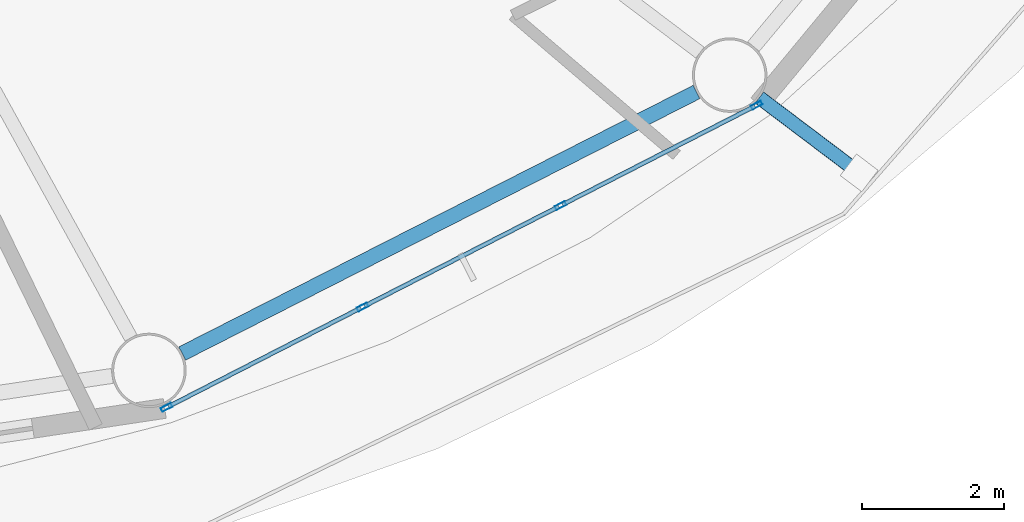
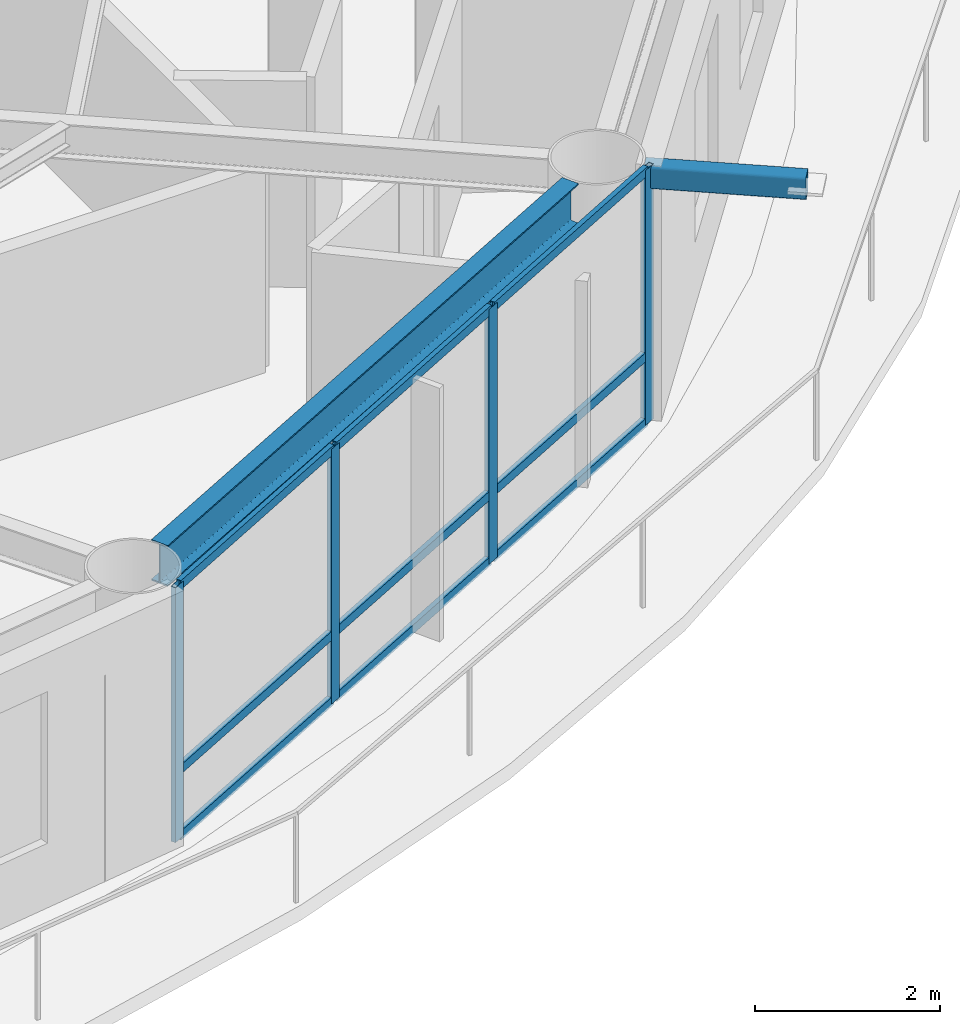
# One storey, part 5 of 23: 14 members, 1 beam, 1 element without a shape of its own.
"""IFC4 building model written with IfcOpenShell, lengths in metres."""

from ifc_helpers import new_model, si_unit, direction, frame, origin, origin_2d, place, context, subcontext, project, spatial, hollow_rectangle, i_section, extrude, material, layer, layer_set, material_profile, profile_set, type_object, element, aggregate, save


model = new_model("IFC4")

# Units and contexts
model_context = context("Model", 3, precision=1e-05, world=origin(), true_north=direction((0.0, 1.0)))
body_context = subcontext(model_context, "Body", "Model", "MODEL_VIEW")
ifc_project = project(units=[si_unit("LENGTHUNIT", "METRE"), si_unit("AREAUNIT", "SQUARE_METRE"), si_unit("VOLUMEUNIT", "CUBIC_METRE"), si_unit("PLANEANGLEUNIT", "RADIAN"), si_unit("MASSUNIT", "GRAM", prefix="KILO")], contexts=[model_context])

# Site, building, storey
site_placement = place(None, origin())
site = spatial("IfcSite", under=ifc_project, at=site_placement, CompositionType="ELEMENT")
building_placement = place(site_placement, origin())
building = spatial("IfcBuilding", under=site, at=building_placement, Name="Sarneth Arch Tower", CompositionType="ELEMENT")
storey_placement = place(building_placement, frame((0.0, 0.0, 235.199951171875)))
storey = spatial("IfcBuildingStorey", under=building, at=storey_placement, Name="L60", CompositionType="ELEMENT", Elevation=235.199951171875)

# Beam
ifc_material_1 = material(Name="Steel S355", Category="steel")
ifc_material_profile_1 = material_profile(ifc_material_1, i_section(OverallWidth=0.2109375, OverallDepth=0.5390625, WebThickness=0.01171875, FlangeThickness=0.018798828125, FilletRadius=0.01806640625, at=origin_2d()), Name="W530x109")
ifc_profile_set_1 = profile_set([ifc_material_profile_1], Name="Steel S355")
beam_type = type_object("IfcBeamType", Name="BM-RAD-530B", PredefinedType="BEAM", material=ifc_profile_set_1)
beam_placement = place(storey_placement, frame((58.2587890625, 24.49951171875, 3.090576171875), z_axis=(0.891368271482, 0.453279830342, 0.0), x_axis=(-0.453279830342, 0.891368271482, 0.0)))
element("IfcBeam", 1, at=beam_placement, inside=storey, type_object=beam_type, Name="L60 Perimeter spandrel beam 14", PredefinedType="BEAM", context=body_context, shape_type="SweptSolid", body=[
    extrude(i_section(OverallWidth=0.2109375, OverallDepth=0.5390625, WebThickness=0.01171875, FlangeThickness=0.018798828125, FilletRadius=0.01806640625, at=origin_2d()), origin(), (0.0, 0.0, 1.0), 8.1318359375),
])

# Curtain wall, members
ifc_material_2 = material(Name="Anodised aluminium Type AA25 and solar-control low-e laminated IGU", Category="aluminium")
ifc_layer = layer(ifc_material_2, 0.179931640625)
ifc_layer_set = layer_set([ifc_layer], Name="Anodised aluminium Type AA25 and solar-control low-e laminated IGU")
curtain_wall_type = type_object("IfcCurtainWallType", Name="CW-RES-HIGH", PredefinedType="NOTDEFINED", material=ifc_layer_set)
curtain_wall_placement = place(storey_placement, origin())
curtain_wall = element("IfcCurtainWall", 2, at=curtain_wall_placement, inside=storey, type_object=curtain_wall_type, Name="L60 Unitised curtain wall facet 14", PredefinedType="NOTDEFINED")
ifc_material_3 = material(Name="Anodised Aluminium 6063-T6", Category="aluminium")
ifc_material_profile_2 = material_profile(ifc_material_3, hollow_rectangle(XDim=0.06005859375, YDim=0.159912109375, WallThickness=0.00390625, at=origin_2d()), Name="AL-MULL-160x60x4")
ifc_profile_set_2 = profile_set([ifc_material_profile_2], Name="Anodised Aluminium 6063-T6")
member_type_1 = type_object("IfcMemberType", Name="CW-MULLION", PredefinedType="MULLION", material=ifc_profile_set_2)
member_1_placement = place(storey_placement, frame((58.039306640625, 23.7392578125, 0.0), z_axis=(0.0, 0.0, 1.0), x_axis=(-0.455941901753, 0.890009540525, 0.0)))
member_1 = element("IfcMember", 3, at=member_1_placement, type_object=member_type_1, Name="CW-SYS-6 mullion 1", PredefinedType="MULLION", context=body_context, shape_type="SweptSolid", body=[
    extrude(hollow_rectangle(XDim=0.06005859375, YDim=0.159912109375, WallThickness=0.00390625, at=origin_2d()), origin(), (0.0, 0.0, 1.0), 3.360107421875),
])
member_2_placement = place(storey_placement, frame((60.802490234375, 25.155029296875, 0.0), z_axis=(0.0, 0.0, 1.0), x_axis=(-0.455941901753, 0.890009540525, 0.0)))
member_2 = element("IfcMember", 4, at=member_2_placement, type_object=member_type_1, Name="CW-SYS-6 mullion 2", PredefinedType="MULLION", context=body_context, shape_type="SweptSolid", body=[
    extrude(hollow_rectangle(XDim=0.06005859375, YDim=0.159912109375, WallThickness=0.00390625, at=origin_2d()), origin(), (0.0, 0.0, 1.0), 3.360107421875),
])
member_3_placement = place(storey_placement, frame((63.592529296875, 26.584228515625, 0.0), z_axis=(0.0, 0.0, 1.0), x_axis=(-0.455941901753, 0.890009540525, 0.0)))
member_3 = element("IfcMember", 5, at=member_3_placement, type_object=member_type_1, Name="CW-SYS-6 mullion 3", PredefinedType="MULLION", context=body_context, shape_type="SweptSolid", body=[
    extrude(hollow_rectangle(XDim=0.06005859375, YDim=0.159912109375, WallThickness=0.00390625, at=origin_2d()), origin(), (0.0, 0.0, 1.0), 3.360107421875),
])
member_4_placement = place(storey_placement, frame((66.355712890625, 27.999755859375, 0.0), z_axis=(0.0, 0.0, 1.0), x_axis=(-0.455941901753, 0.890009540525, 0.0)))
member_4 = element("IfcMember", 6, at=member_4_placement, type_object=member_type_1, Name="CW-SYS-6 mullion 4", PredefinedType="MULLION", context=body_context, shape_type="SweptSolid", body=[
    extrude(hollow_rectangle(XDim=0.06005859375, YDim=0.159912109375, WallThickness=0.00390625, at=origin_2d()), origin(), (0.0, 0.0, 1.0), 3.360107421875),
])
ifc_material_4 = material(Name="Anodised Aluminium 6063-T6", Category="aluminium")
ifc_material_profile_3 = material_profile(ifc_material_4, hollow_rectangle(XDim=0.06005859375, YDim=0.1201171875, WallThickness=0.00390625, at=origin_2d()), Name="AL-TRAN-120x60x4")
ifc_profile_set_3 = profile_set([ifc_material_profile_3], Name="Anodised Aluminium 6063-T6")
member_type_2 = type_object("IfcMemberType", Name="CW-TRANSOM", PredefinedType="USERDEFINED", material=ifc_profile_set_3)
member_5_placement = place(storey_placement, frame((58.066162109375, 23.7529296875, 0.030029296875), z_axis=(0.889973523166, 0.456012201662, 0.0), x_axis=(-0.456012201662, 0.889973523166, 0.0)))
member_5 = element("IfcMember", 7, at=member_5_placement, type_object=member_type_2, Name="CW-SYS-6 transom 1.1", ObjectType="TRANSOM", PredefinedType="USERDEFINED", context=body_context, shape_type="SweptSolid", body=[
    extrude(hollow_rectangle(XDim=0.06005859375, YDim=0.1201171875, WallThickness=0.00390625, at=origin_2d()), origin(), (0.0, 0.0, 1.0), 3.044677734375),
])
member_6_placement = place(storey_placement, frame((58.066162109375, 23.7529296875, 0.900146484375), z_axis=(0.889973523166, 0.456012201662, 0.0), x_axis=(-0.456012201662, 0.889973523166, 0.0)))
member_6 = element("IfcMember", 8, at=member_6_placement, type_object=member_type_2, Name="CW-SYS-6 transom 1.2", ObjectType="TRANSOM", PredefinedType="USERDEFINED", context=body_context, shape_type="SweptSolid", body=[
    extrude(hollow_rectangle(XDim=0.06005859375, YDim=0.1201171875, WallThickness=0.00390625, at=origin_2d()), origin(), (0.0, 0.0, 1.0), 3.044677734375),
])
member_7_placement = place(storey_placement, frame((58.066162109375, 23.7529296875, 3.330078125), z_axis=(0.889973523166, 0.456012201662, 0.0), x_axis=(-0.456012201662, 0.889973523166, 0.0)))
member_7 = element("IfcMember", 9, at=member_7_placement, type_object=member_type_2, Name="CW-SYS-6 transom 1.3", ObjectType="TRANSOM", PredefinedType="USERDEFINED", context=body_context, shape_type="SweptSolid", body=[
    extrude(hollow_rectangle(XDim=0.06005859375, YDim=0.1201171875, WallThickness=0.00390625, at=origin_2d()), origin(), (0.0, 0.0, 1.0), 3.044677734375),
])
member_8_placement = place(storey_placement, frame((60.829345703125, 25.168701171875, 0.030029296875), z_axis=(0.890017432405, 0.455926496286, 0.0), x_axis=(-0.455926496286, 0.890017432405, 0.0)))
member_8 = element("IfcMember", 10, at=member_8_placement, type_object=member_type_2, Name="CW-SYS-6 transom 2.1", ObjectType="TRANSOM", PredefinedType="USERDEFINED", context=body_context, shape_type="SweptSolid", body=[
    extrude(hollow_rectangle(XDim=0.06005859375, YDim=0.1201171875, WallThickness=0.00390625, at=origin_2d()), origin(), (0.0, 0.0, 1.0), 3.07470703125),
])
member_9_placement = place(storey_placement, frame((60.829345703125, 25.168701171875, 0.900146484375), z_axis=(0.890017432405, 0.455926496286, 0.0), x_axis=(-0.455926496286, 0.890017432405, 0.0)))
member_9 = element("IfcMember", 11, at=member_9_placement, type_object=member_type_2, Name="CW-SYS-6 transom 2.2", ObjectType="TRANSOM", PredefinedType="USERDEFINED", context=body_context, shape_type="SweptSolid", body=[
    extrude(hollow_rectangle(XDim=0.06005859375, YDim=0.1201171875, WallThickness=0.00390625, at=origin_2d()), origin(), (0.0, 0.0, 1.0), 3.07470703125),
])
member_10_placement = place(storey_placement, frame((60.829345703125, 25.168701171875, 3.330078125), z_axis=(0.890017432405, 0.455926496286, 0.0), x_axis=(-0.455926496286, 0.890017432405, 0.0)))
member_10 = element("IfcMember", 12, at=member_10_placement, type_object=member_type_2, Name="CW-SYS-6 transom 2.3", ObjectType="TRANSOM", PredefinedType="USERDEFINED", context=body_context, shape_type="SweptSolid", body=[
    extrude(hollow_rectangle(XDim=0.06005859375, YDim=0.1201171875, WallThickness=0.00390625, at=origin_2d()), origin(), (0.0, 0.0, 1.0), 3.07470703125),
])
member_11_placement = place(storey_placement, frame((63.619140625, 26.597900390625, 0.030029296875), z_axis=(0.890022732705, 0.455916149384, 0.0), x_axis=(-0.455916149384, 0.890022732705, 0.0)))
member_11 = element("IfcMember", 13, at=member_11_placement, type_object=member_type_2, Name="CW-SYS-6 transom 3.1", ObjectType="TRANSOM", PredefinedType="USERDEFINED", context=body_context, shape_type="SweptSolid", body=[
    extrude(hollow_rectangle(XDim=0.06005859375, YDim=0.1201171875, WallThickness=0.00390625, at=origin_2d()), origin(), (0.0, 0.0, 1.0), 3.044921875),
])
member_12_placement = place(storey_placement, frame((63.619140625, 26.597900390625, 0.900146484375), z_axis=(0.890022732705, 0.455916149384, 0.0), x_axis=(-0.455916149384, 0.890022732705, 0.0)))
member_12 = element("IfcMember", 14, at=member_12_placement, type_object=member_type_2, Name="CW-SYS-6 transom 3.2", ObjectType="TRANSOM", PredefinedType="USERDEFINED", context=body_context, shape_type="SweptSolid", body=[
    extrude(hollow_rectangle(XDim=0.06005859375, YDim=0.1201171875, WallThickness=0.00390625, at=origin_2d()), origin(), (0.0, 0.0, 1.0), 3.044921875),
])
member_13_placement = place(storey_placement, frame((63.619140625, 26.597900390625, 3.330078125), z_axis=(0.890022732705, 0.455916149384, 0.0), x_axis=(-0.455916149384, 0.890022732705, 0.0)))
member_13 = element("IfcMember", 15, at=member_13_placement, type_object=member_type_2, Name="CW-SYS-6 transom 3.3", ObjectType="TRANSOM", PredefinedType="USERDEFINED", context=body_context, shape_type="SweptSolid", body=[
    extrude(hollow_rectangle(XDim=0.06005859375, YDim=0.1201171875, WallThickness=0.00390625, at=origin_2d()), origin(), (0.0, 0.0, 1.0), 3.044921875),
])
aggregate(curtain_wall, [member_1, member_2, member_3, member_4, member_5, member_6, member_7, member_8, member_9, member_10, member_11, member_12, member_13])

# Member
ifc_material_5 = material(Name="Steel S355", Category="steel")
ifc_material_profile_4 = material_profile(ifc_material_5, hollow_rectangle(XDim=0.199951171875, YDim=0.300048828125, WallThickness=0.012451171875, InnerFilletRadius=0.018798828125, OuterFilletRadius=0.03125, at=origin_2d()), Name="RHS300x200x12.5")
ifc_profile_set_4 = profile_set([ifc_material_profile_4], Name="Steel S355")
member_type_3 = type_object("IfcMemberType", Name="MEM-CANT-STRUT", PredefinedType="STRUT", material=ifc_profile_set_4)
member_14_placement = place(storey_placement, frame((66.39404296875, 28.107177734375, 3.199951171875), z_axis=(0.798016889035, -0.602635084288, 0.0), x_axis=(0.602635084288, 0.798016889035, 0.0)))
element("IfcMember", 16, at=member_14_placement, inside=storey, type_object=member_type_3, Name="L60 Balcony cantilever bracket 15", PredefinedType="STRUT", context=body_context, shape_type="SweptSolid", body=[
    extrude(hollow_rectangle(XDim=0.199951171875, YDim=0.300048828125, WallThickness=0.012451171875, InnerFilletRadius=0.018798828125, OuterFilletRadius=0.03125, at=origin_2d()), origin(), (0.0, 0.0, 1.0), 1.761962890625),
])

save(model, "model.ifc")
